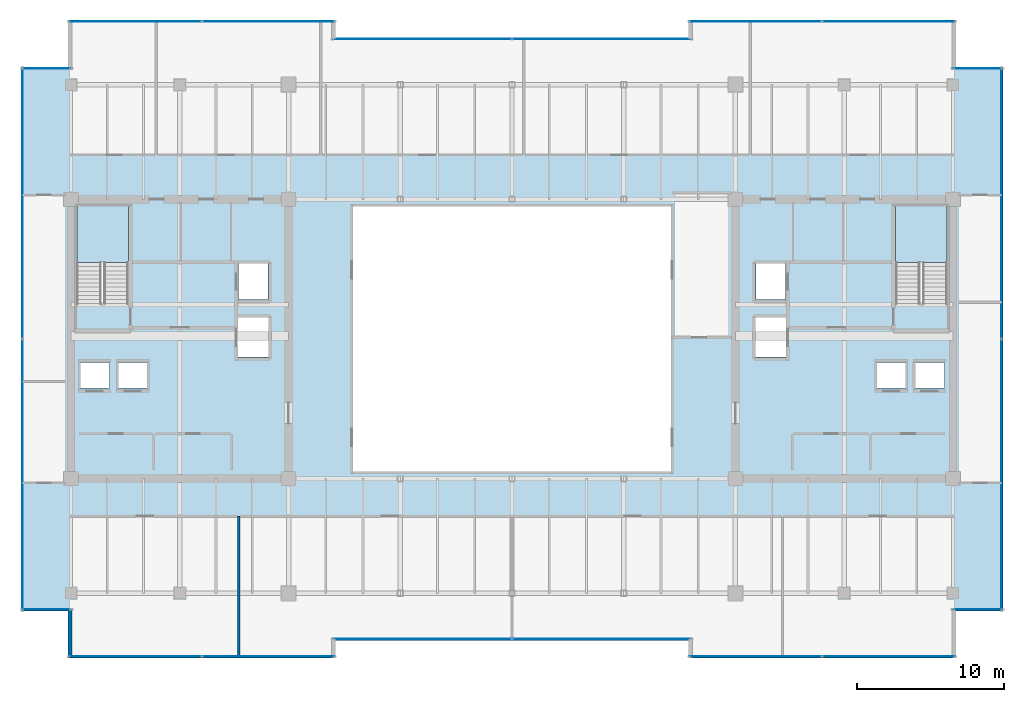
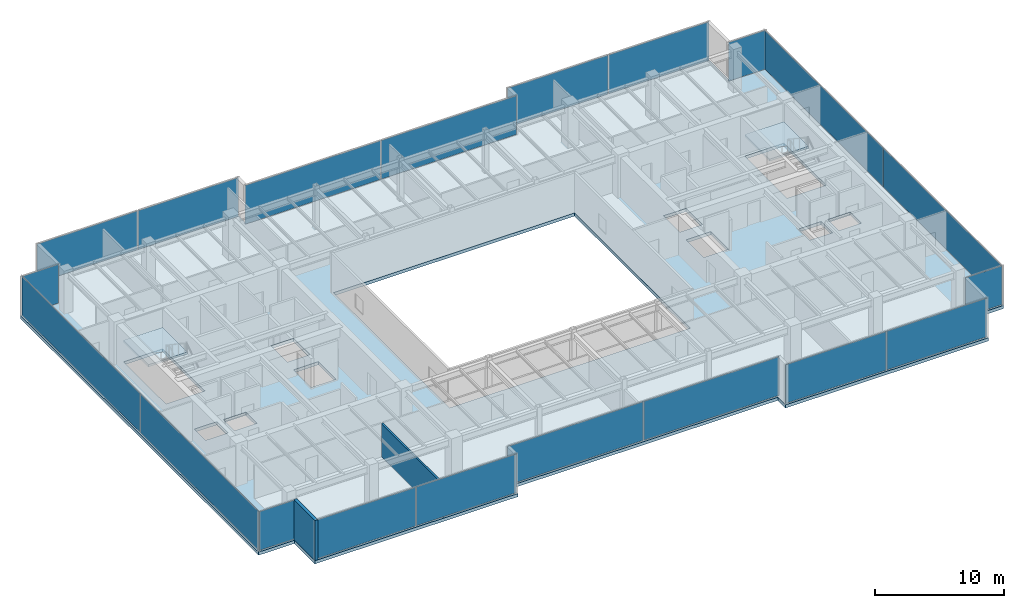
# One storey, part 27 of 36: 20 plates, 3 slabs, 2 walls, 14 elements without a shape of their own.
"""IFC4 building model written with IfcOpenShell, lengths in metres."""

from ifc_helpers import new_model, si_unit, direction, frame, frame_2d, origin, origin_2d, place, context, subcontext, project, spatial, polyline, rectangle, outline, extrude, source, transform, mapped, material, layer, layer_set, type_object, type_shapes, element, aggregate, save


model = new_model("IFC4")

# Units and contexts
model_context = context("Model", 3, precision=1e-05, world=origin(), true_north=direction((0.0, 1.0)))
body_context = subcontext(model_context, "Body", "Model", "MODEL_VIEW")
ifc_project = project(units=[si_unit("LENGTHUNIT", "METRE"), si_unit("AREAUNIT", "SQUARE_METRE"), si_unit("VOLUMEUNIT", "CUBIC_METRE"), si_unit("PLANEANGLEUNIT", "RADIAN"), si_unit("MASSUNIT", "GRAM", prefix="KILO")], contexts=[model_context])

# Site, building, storey
site_placement = place(None, origin())
site = spatial("IfcSite", under=ifc_project, at=site_placement, CompositionType="ELEMENT")
building_placement = place(site_placement, origin())
building = spatial("IfcBuilding", under=site, at=building_placement, Name="Haelvirn Gate Laboratories", CompositionType="ELEMENT")
storey_placement = place(building_placement, frame((0.0, 0.0, 254.699951171875)))
storey = spatial("IfcBuildingStorey", under=building, at=storey_placement, Name="L61", CompositionType="ELEMENT", Elevation=254.699951171875)

# Stair, slab
ifc_material_1 = material(Name="Concrete C40/50", Category="concrete")
stair_type = type_object("IfcStairType", Name="ST-DOG-1650-R22", PredefinedType="HALF_TURN_STAIR", material=ifc_material_1)
stair_1_placement = place(storey_placement, origin())
stair_1 = element("IfcStair", 1, at=stair_1_placement, inside=storey, type_object=stair_type, Name="L61 Escape Stair ST1", PredefinedType="HALF_TURN_STAIR")
ifc_layer_1 = layer(ifc_material_1, 0.199951171875, Name="SL-STAIR-LND")
ifc_layer_set_1 = layer_set([ifc_layer_1], Name="Concrete C40/50")
slab_type_1 = type_object("IfcSlabType", Name="SL-STAIR-LND", PredefinedType="LANDING", material=ifc_layer_set_1)
slab_1_placement = place(storey_placement, frame((0.0, 0.0, 1.85009765625)))
slab_1 = element("IfcSlab", 2, at=slab_1_placement, type_object=slab_type_1, Name="ST1 landing 1", PredefinedType="LANDING", context=body_context, shape_type="SweptSolid", body=[
    extrude(outline(polyline([(11.300048828125, 29.5), (11.300048828125, 33.35009765625), (7.800048828125, 33.35009765625), (7.800048828125, 29.5), (11.300048828125, 29.5)])), origin(), (0.0, 0.0, 1.0), 0.199951171875),
])
aggregate(stair_1, [slab_1])

stair_2_placement = place(storey_placement, origin())
stair_2 = element("IfcStair", 3, at=stair_2_placement, inside=storey, type_object=stair_type, Name="L61 Escape Stair ST2", PredefinedType="HALF_TURN_STAIR")
slab_2_placement = place(storey_placement, frame((0.0, 0.0, 1.85009765625)))
slab_2 = element("IfcSlab", 4, at=slab_2_placement, type_object=slab_type_1, Name="ST2 landing 1", PredefinedType="LANDING", context=body_context, shape_type="SweptSolid", body=[
    extrude(outline(polyline([(67.0, 29.5), (67.0, 33.35009765625), (63.5, 33.35009765625), (63.5, 29.5), (67.0, 29.5)])), origin(), (0.0, 0.0, 1.0), 0.199951171875),
])
aggregate(stair_2, [slab_2])

# Slab
ifc_layer_2 = layer(ifc_material_1, 0.300048828125, Name="SL-Z3-300")
ifc_layer_set_2 = layer_set([ifc_layer_2], Name="Concrete C40/50")
slab_type_2 = type_object("IfcSlabType", Name="SL-Z3-300", PredefinedType="FLOOR", material=ifc_layer_set_2)
slab_3_placement = place(storey_placement, frame((0.0, 0.0, -0.300048828125)))
element("IfcSlab", 5, at=slab_3_placement, inside=storey, type_object=slab_type_2, Name="L61 Structural Slab MAIN", PredefinedType="FLOOR", context=body_context, shape_type="SweptSolid", body=[
    extrude(outline(polyline([(7.199951171875, 2.60009765625), (25.39990234375, 2.60009765625), (25.39990234375, 3.800048828125), (49.39990234375, 3.800048828125), (49.39990234375, 2.60009765625), (67.60009765625, 2.60009765625), (67.60009765625, 5.800048828125), (70.800048828125, 5.800048828125), (70.800048828125, 42.800048828125), (67.60009765625, 42.800048828125), (67.60009765625, 46.0), (49.39990234375, 46.0), (49.39990234375, 44.800048828125), (25.39990234375, 44.800048828125), (25.39990234375, 46.0), (7.199951171875, 46.0), (7.199951171875, 42.800048828125), (4.0, 42.800048828125), (4.0, 5.800048828125), (7.199951171875, 5.800048828125), (7.199951171875, 2.60009765625)]), holes=[polyline([(26.60009765625, 15.300048828125), (48.199951171875, 15.300048828125), (48.199951171875, 33.300048828125), (26.60009765625, 33.300048828125), (26.60009765625, 15.300048828125)]), polyline([(11.300048828125, 26.780029296875), (11.300048828125, 33.35009765625), (7.800048828125, 33.35009765625), (7.800048828125, 26.780029296875), (11.300048828125, 26.780029296875)]), polyline([(67.0, 26.780029296875), (67.0, 33.35009765625), (63.5, 33.35009765625), (63.5, 26.780029296875), (67.0, 26.780029296875)]), polyline([(7.989990234375, 20.969970703125), (10.010009765625, 20.969970703125), (10.010009765625, 22.7099609375), (7.989990234375, 22.7099609375), (7.989990234375, 20.969970703125)]), polyline([(10.590087890625, 20.969970703125), (12.610107421875, 20.969970703125), (12.610107421875, 22.7099609375), (10.590087890625, 22.7099609375), (10.590087890625, 20.969970703125)]), polyline([(18.7900390625, 26.969970703125), (20.81005859375, 26.969970703125), (20.81005859375, 29.510009765625), (18.7900390625, 29.510009765625), (18.7900390625, 26.969970703125)]), polyline([(18.68994140625, 23.070068359375), (20.909912109375, 23.070068359375), (20.909912109375, 25.81005859375), (18.68994140625, 25.81005859375), (18.68994140625, 23.070068359375)]), polyline([(64.7900390625, 20.969970703125), (66.81005859375, 20.969970703125), (66.81005859375, 22.7099609375), (64.7900390625, 22.7099609375), (64.7900390625, 20.969970703125)]), polyline([(62.18994140625, 20.969970703125), (64.2099609375, 20.969970703125), (64.2099609375, 22.7099609375), (62.18994140625, 22.7099609375), (62.18994140625, 20.969970703125)]), polyline([(53.989990234375, 26.969970703125), (56.010009765625, 26.969970703125), (56.010009765625, 29.510009765625), (53.989990234375, 29.510009765625), (53.989990234375, 26.969970703125)]), polyline([(53.889892578125, 23.070068359375), (56.110107421875, 23.070068359375), (56.110107421875, 25.81005859375), (53.889892578125, 25.81005859375), (53.889892578125, 23.070068359375)])]), origin(), (0.0, 0.0, 1.0), 0.300048828125),
])

# Curtain wall, plates
ifc_material_2 = material(Name="Anodised bronze unitised aluminium & triple low-E glass", Category="aluminium")
ifc_layer_3 = layer(ifc_material_2, 0.176025390625, Name="CW-SYS-4")
ifc_layer_set_3 = layer_set([ifc_layer_3], Name="Anodised bronze unitised aluminium & triple low-E glass")
curtain_wall_type_1 = type_object("IfcCurtainWallType", Name="CW-SYS-4", PredefinedType="NOTDEFINED", material=ifc_layer_set_3)
curtain_wall_1_placement = place(storey_placement, origin())
curtain_wall_1 = element("IfcCurtainWall", 6, at=curtain_wall_1_placement, inside=storey, type_object=curtain_wall_type_1, Name="L61 Unitised Curtain Wall CW-L61-P0-E00-1", PredefinedType="NOTDEFINED")
ifc_material_3 = material(Name="Acoustic laminated bronze triple IGU 36 mm", Category="glass")
ifc_layer_4 = layer(ifc_material_3, 0.035888671875, Name="CWP-IGU-36")
ifc_layer_set_4 = layer_set([ifc_layer_4], Name="Acoustic laminated bronze triple IGU 36 mm")
plate_type_1 = type_object("IfcPlateType", Name="CWP-IGU-36", PredefinedType="CURTAIN_PANEL", material=ifc_layer_set_4)
shared_shape_1 = source(origin(), body_context, "Body", "SweptSolid", [
    extrude(rectangle(XDim=8.9951171875, YDim=0.035888671875, at=origin_2d()), origin(), (0.0, 0.0, 1.0), 3.669921875),
])
plate_1_placement = place(storey_placement, frame((11.767578125, 2.699951171875, 0.065185546875), z_axis=(0.0, 0.0, 1.0), x_axis=(1.0, 0.0, 0.0)))
plate_1 = element("IfcPlate", 7, at=plate_1_placement, type_object=plate_type_1, Name="CW4 panel 1.1", PredefinedType="CURTAIN_PANEL", context=body_context, shape_type="MappedRepresentation", body=[
    mapped(shared_shape_1, transform((0.0, 0.0, 0.0), scale=1.0)),
])
plate_2_placement = place(storey_placement, frame((20.83251953125, 2.699951171875, 0.065185546875), z_axis=(0.0, 0.0, 1.0), x_axis=(1.0, 0.0, 0.0)))
plate_2 = element("IfcPlate", 8, at=plate_2_placement, type_object=plate_type_1, Name="CW4 panel 2.1", PredefinedType="CURTAIN_PANEL", context=body_context, shape_type="MappedRepresentation", body=[
    mapped(shared_shape_1, transform((0.0, 0.0, 0.0), scale=1.0)),
])
aggregate(curtain_wall_1, [plate_1, plate_2])

curtain_wall_2_placement = place(storey_placement, origin())
curtain_wall_2 = element("IfcCurtainWall", 9, at=curtain_wall_2_placement, inside=storey, type_object=curtain_wall_type_1, Name="L61 Unitised Curtain Wall CW-L61-P0-E04-1", PredefinedType="NOTDEFINED")
plate_3_placement = place(storey_placement, frame((53.967529296875, 2.699951171875, 0.065185546875), z_axis=(0.0, 0.0, 1.0), x_axis=(1.0, 0.0, 0.0)))
plate_3 = element("IfcPlate", 10, at=plate_3_placement, type_object=plate_type_1, Name="CW4 panel 1.1", PredefinedType="CURTAIN_PANEL", context=body_context, shape_type="MappedRepresentation", body=[
    mapped(shared_shape_1, transform((0.0, 0.0, 0.0), scale=1.0)),
])
plate_4_placement = place(storey_placement, frame((63.032470703125, 2.699951171875, 0.065185546875), z_axis=(0.0, 0.0, 1.0), x_axis=(1.0, 0.0, 0.0)))
plate_4 = element("IfcPlate", 11, at=plate_4_placement, type_object=plate_type_1, Name="CW4 panel 2.1", PredefinedType="CURTAIN_PANEL", context=body_context, shape_type="MappedRepresentation", body=[
    mapped(shared_shape_1, transform((0.0, 0.0, 0.0), scale=1.0)),
])
aggregate(curtain_wall_2, [plate_3, plate_4])

curtain_wall_3_placement = place(storey_placement, origin())
curtain_wall_3 = element("IfcCurtainWall", 12, at=curtain_wall_3_placement, inside=storey, type_object=curtain_wall_type_1, Name="L61 Unitised Curtain Wall CW-L61-P0-E10-1", PredefinedType="NOTDEFINED")
plate_5_placement = place(storey_placement, frame((53.967529296875, 45.89990234375, 0.065185546875), z_axis=(0.0, 0.0, 1.0), x_axis=(1.0, 0.0, 0.0)))
plate_5 = element("IfcPlate", 13, at=plate_5_placement, type_object=plate_type_1, Name="CW4 panel 1.1", PredefinedType="CURTAIN_PANEL", context=body_context, shape_type="MappedRepresentation", body=[
    mapped(shared_shape_1, transform((0.0, 0.0, 0.0), scale=1.0)),
])
plate_6_placement = place(storey_placement, frame((63.032470703125, 45.89990234375, 0.065185546875), z_axis=(0.0, 0.0, 1.0), x_axis=(1.0, 0.0, 0.0)))
plate_6 = element("IfcPlate", 14, at=plate_6_placement, type_object=plate_type_1, Name="CW4 panel 2.1", PredefinedType="CURTAIN_PANEL", context=body_context, shape_type="MappedRepresentation", body=[
    mapped(shared_shape_1, transform((0.0, 0.0, 0.0), scale=1.0)),
])
aggregate(curtain_wall_3, [plate_5, plate_6])

curtain_wall_4_placement = place(storey_placement, origin())
curtain_wall_4 = element("IfcCurtainWall", 15, at=curtain_wall_4_placement, inside=storey, type_object=curtain_wall_type_1, Name="L61 Unitised Curtain Wall CW-L61-P0-E14-1", PredefinedType="NOTDEFINED")
plate_7_placement = place(storey_placement, frame((11.767578125, 45.89990234375, 0.065185546875), z_axis=(0.0, 0.0, 1.0), x_axis=(1.0, 0.0, 0.0)))
plate_7 = element("IfcPlate", 16, at=plate_7_placement, type_object=plate_type_1, Name="CW4 panel 1.1", PredefinedType="CURTAIN_PANEL", context=body_context, shape_type="MappedRepresentation", body=[
    mapped(shared_shape_1, transform((0.0, 0.0, 0.0), scale=1.0)),
])
plate_8_placement = place(storey_placement, frame((20.83251953125, 45.89990234375, 0.065185546875), z_axis=(0.0, 0.0, 1.0), x_axis=(1.0, 0.0, 0.0)))
plate_8 = element("IfcPlate", 17, at=plate_8_placement, type_object=plate_type_1, Name="CW4 panel 2.1", PredefinedType="CURTAIN_PANEL", context=body_context, shape_type="MappedRepresentation", body=[
    mapped(shared_shape_1, transform((0.0, 0.0, 0.0), scale=1.0)),
])
aggregate(curtain_wall_4, [plate_7, plate_8])

curtain_wall_5_placement = place(storey_placement, origin())
curtain_wall_5 = element("IfcCurtainWall", 18, at=curtain_wall_5_placement, inside=storey, type_object=curtain_wall_type_1, Name="L61 Unitised Curtain Wall CW-L61-P0-E02-1", PredefinedType="NOTDEFINED")
shared_shape_2 = source(origin(), body_context, "Body", "SweptSolid", [
    extrude(rectangle(XDim=12.135009765625, YDim=0.035888671875, at=origin_2d()), origin(), (0.0, 0.0, 1.0), 3.669921875),
])
plate_9_placement = place(storey_placement, frame((31.297607421875, 3.89990234375, 0.065185546875), z_axis=(0.0, 0.0, 1.0), x_axis=(1.0, 0.0, 0.0)))
plate_9 = element("IfcPlate", 19, at=plate_9_placement, type_object=plate_type_1, Name="CW4 panel 1.1", PredefinedType="CURTAIN_PANEL", context=body_context, shape_type="MappedRepresentation", body=[
    mapped(shared_shape_2, transform((0.0, 0.0, 0.0), scale=1.0)),
])
plate_10_placement = place(storey_placement, frame((43.50244140625, 3.89990234375, 0.065185546875), z_axis=(0.0, 0.0, 1.0), x_axis=(1.0, 0.0, 0.0)))
plate_10 = element("IfcPlate", 20, at=plate_10_placement, type_object=plate_type_1, Name="CW4 panel 2.1", PredefinedType="CURTAIN_PANEL", context=body_context, shape_type="MappedRepresentation", body=[
    mapped(shared_shape_2, transform((0.0, 0.0, 0.0), scale=1.0)),
])
aggregate(curtain_wall_5, [plate_9, plate_10])

curtain_wall_6_placement = place(storey_placement, origin())
curtain_wall_6 = element("IfcCurtainWall", 21, at=curtain_wall_6_placement, inside=storey, type_object=curtain_wall_type_1, Name="L61 Unitised Curtain Wall CW-L61-P0-E12-1", PredefinedType="NOTDEFINED")
plate_11_placement = place(storey_placement, frame((31.297607421875, 44.699951171875, 0.065185546875), z_axis=(0.0, 0.0, 1.0), x_axis=(1.0, 0.0, 0.0)))
plate_11 = element("IfcPlate", 22, at=plate_11_placement, type_object=plate_type_1, Name="CW4 panel 1.1", PredefinedType="CURTAIN_PANEL", context=body_context, shape_type="MappedRepresentation", body=[
    mapped(shared_shape_2, transform((0.0, 0.0, 0.0), scale=1.0)),
])
plate_12_placement = place(storey_placement, frame((43.50244140625, 44.699951171875, 0.065185546875), z_axis=(0.0, 0.0, 1.0), x_axis=(1.0, 0.0, 0.0)))
plate_12 = element("IfcPlate", 23, at=plate_12_placement, type_object=plate_type_1, Name="CW4 panel 2.1", PredefinedType="CURTAIN_PANEL", context=body_context, shape_type="MappedRepresentation", body=[
    mapped(shared_shape_2, transform((0.0, 0.0, 0.0), scale=1.0)),
])
aggregate(curtain_wall_6, [plate_11, plate_12])

# Curtain wall, plate
ifc_layer_5 = layer(ifc_material_2, 0.181884765625, Name="CW-SYS-5")
ifc_layer_set_5 = layer_set([ifc_layer_5], Name="Anodised bronze unitised aluminium & triple low-E glass")
curtain_wall_type_2 = type_object("IfcCurtainWallType", Name="CW-SYS-5", PredefinedType="NOTDEFINED", material=ifc_layer_set_5)
curtain_wall_7_placement = place(storey_placement, origin())
curtain_wall_7 = element("IfcCurtainWall", 24, at=curtain_wall_7_placement, inside=storey, type_object=curtain_wall_type_2, Name="L61 Unitised Curtain Wall CW-L61-P0-E06-1", PredefinedType="NOTDEFINED")
ifc_material_4 = material(Name="Clear low-iron notched-corner triple IGU 42 mm", Category="glass")
ifc_layer_6 = layer(ifc_material_4, 0.0419921875, Name="CWP-NTC-42")
ifc_layer_set_6 = layer_set([ifc_layer_6], Name="Clear low-iron notched-corner triple IGU 42 mm")
plate_type_2 = type_object("IfcPlateType", Name="CWP-NTC-42", PredefinedType="CURTAIN_PANEL", material=ifc_layer_set_6)
shared_shape_3 = source(origin(), body_context, "Body", "SweptSolid", [
    extrude(rectangle(XDim=3.280029296875, YDim=0.0419921875, at=origin_2d()), origin(), (0.0, 0.0, 1.0), 3.669921875),
])
type_shapes(plate_type_2, [shared_shape_3])
plate_13_placement = place(storey_placement, frame((69.080078125, 5.89990234375, 0.065185546875), z_axis=(0.0, 0.0, 1.0), x_axis=(1.0, 0.0, 0.0)))
plate_13 = element("IfcPlate", 25, at=plate_13_placement, type_object=plate_type_2, Name="CW5 panel 1.1", PredefinedType="CURTAIN_PANEL", context=body_context, shape_type="MappedRepresentation", body=[
    mapped(shared_shape_3, transform((0.0, 0.0, 0.0), scale=1.0)),
])
aggregate(curtain_wall_7, [plate_13])

curtain_wall_8_placement = place(storey_placement, origin())
curtain_wall_8 = element("IfcCurtainWall", 26, at=curtain_wall_8_placement, inside=storey, type_object=curtain_wall_type_2, Name="L61 Unitised Curtain Wall CW-L61-P0-E08-1", PredefinedType="NOTDEFINED")
plate_14_placement = place(storey_placement, frame((69.080078125, 42.699951171875, 0.065185546875), z_axis=(0.0, 0.0, 1.0), x_axis=(1.0, 0.0, 0.0)))
plate_14 = element("IfcPlate", 27, at=plate_14_placement, type_object=plate_type_2, Name="CW5 panel 1.1", PredefinedType="CURTAIN_PANEL", context=body_context, shape_type="MappedRepresentation", body=[
    mapped(shared_shape_3, transform((0.0, 0.0, 0.0), scale=1.0)),
])
aggregate(curtain_wall_8, [plate_14])

curtain_wall_9_placement = place(storey_placement, origin())
curtain_wall_9 = element("IfcCurtainWall", 28, at=curtain_wall_9_placement, inside=storey, type_object=curtain_wall_type_2, Name="L61 Unitised Curtain Wall CW-L61-P0-E16-1", PredefinedType="NOTDEFINED")
plate_15_placement = place(storey_placement, frame((5.719970703125, 42.699951171875, 0.065185546875), z_axis=(0.0, 0.0, 1.0), x_axis=(1.0, 0.0, 0.0)))
plate_15 = element("IfcPlate", 29, at=plate_15_placement, type_object=plate_type_2, Name="CW5 panel 1.1", PredefinedType="CURTAIN_PANEL", context=body_context, shape_type="MappedRepresentation", body=[
    mapped(shared_shape_3, transform((0.0, 0.0, 0.0), scale=1.0)),
])
aggregate(curtain_wall_9, [plate_15])

curtain_wall_10_placement = place(storey_placement, origin())
curtain_wall_10 = element("IfcCurtainWall", 30, at=curtain_wall_10_placement, inside=storey, type_object=curtain_wall_type_2, Name="L61 Unitised Curtain Wall CW-L61-P0-E18-1", PredefinedType="NOTDEFINED")
plate_16_placement = place(storey_placement, frame((5.719970703125, 5.89990234375, 0.065185546875), z_axis=(0.0, 0.0, 1.0), x_axis=(1.0, 0.0, 0.0)))
plate_16 = element("IfcPlate", 31, at=plate_16_placement, type_object=plate_type_2, Name="CW5 panel 1.1", PredefinedType="CURTAIN_PANEL", context=body_context, shape_type="MappedRepresentation", body=[
    mapped(shared_shape_3, transform((0.0, 0.0, 0.0), scale=1.0)),
])
aggregate(curtain_wall_10, [plate_16])

# Curtain wall, plates
curtain_wall_11_placement = place(storey_placement, origin())
curtain_wall_11 = element("IfcCurtainWall", 32, at=curtain_wall_11_placement, inside=storey, type_object=curtain_wall_type_1, Name="L61 Unitised Curtain Wall CW-L61-P0-E07", PredefinedType="NOTDEFINED")
shared_shape_4 = source(origin(), body_context, "Body", "SweptSolid", [
    extrude(rectangle(XDim=18.39501953125, YDim=0.035888671875, at=origin_2d()), origin(), (0.0, 0.0, 1.0), 3.669921875),
])
type_shapes(plate_type_1, [shared_shape_1, shared_shape_2, shared_shape_4])
plate_17_placement = place(storey_placement, frame((70.699951171875, 15.0673828125, 0.065185546875), z_axis=(0.0, 0.0, 1.0), x_axis=(0.0, 1.0, 0.0)))
plate_17 = element("IfcPlate", 33, at=plate_17_placement, type_object=plate_type_1, Name="CW4 panel 1.1", PredefinedType="CURTAIN_PANEL", context=body_context, shape_type="MappedRepresentation", body=[
    mapped(shared_shape_4, transform((0.0, 0.0, 0.0), scale=1.0)),
])
plate_18_placement = place(storey_placement, frame((70.699951171875, 33.532470703125, 0.065185546875), z_axis=(0.0, 0.0, 1.0), x_axis=(0.0, 1.0, 0.0)))
plate_18 = element("IfcPlate", 34, at=plate_18_placement, type_object=plate_type_1, Name="CW4 panel 2.1", PredefinedType="CURTAIN_PANEL", context=body_context, shape_type="MappedRepresentation", body=[
    mapped(shared_shape_4, transform((0.0, 0.0, 0.0), scale=1.0)),
])
aggregate(curtain_wall_11, [plate_17, plate_18])

curtain_wall_12_placement = place(storey_placement, origin())
curtain_wall_12 = element("IfcCurtainWall", 35, at=curtain_wall_12_placement, inside=storey, type_object=curtain_wall_type_1, Name="L61 Unitised Curtain Wall CW-L61-P0-E17", PredefinedType="NOTDEFINED")
plate_19_placement = place(storey_placement, frame((4.10009765625, 33.532470703125, 0.065185546875), z_axis=(0.0, 0.0, 1.0), x_axis=(0.0, -1.0, 0.0)))
plate_19 = element("IfcPlate", 36, at=plate_19_placement, type_object=plate_type_1, Name="CW4 panel 1.1", PredefinedType="CURTAIN_PANEL", context=body_context, shape_type="MappedRepresentation", body=[
    mapped(shared_shape_4, transform((0.0, 0.0, 0.0), scale=1.0)),
])
plate_20_placement = place(storey_placement, frame((4.10009765625, 15.0673828125, 0.065185546875), z_axis=(0.0, 0.0, 1.0), x_axis=(0.0, -1.0, 0.0)))
plate_20 = element("IfcPlate", 37, at=plate_20_placement, type_object=plate_type_1, Name="CW4 panel 2.1", PredefinedType="CURTAIN_PANEL", context=body_context, shape_type="MappedRepresentation", body=[
    mapped(shared_shape_4, transform((0.0, 0.0, 0.0), scale=1.0)),
])
aggregate(curtain_wall_12, [plate_19, plate_20])

# Walls
ifc_material_5 = material(Name="Thermally-broken bronze aluminium rainscreen & mineral wool", Category="aluminium")
ifc_layer_7 = layer(ifc_material_5, 0.280029296875, Name="EW-TERR-280")
ifc_layer_set_7 = layer_set([ifc_layer_7], Name="Thermally-broken bronze aluminium rainscreen & mineral wool")
wall_type_1 = type_object("IfcWallType", Name="EW-TERR-280", PredefinedType="STANDARD", material=ifc_layer_set_7)
wall_1_placement = place(storey_placement, frame((7.340087890625, 5.887939453125, 0.0), z_axis=(0.0, 0.0, 1.0), x_axis=(0.0, -1.0, 0.0)))
element("IfcWall", 38, at=wall_1_placement, inside=storey, type_object=wall_type_1, Name="L61 Atrium Recess Bronze Return Wall 19", PredefinedType="STANDARD", context=body_context, shape_type="SweptSolid", body=[
    extrude(rectangle(XDim=3.287841796875, YDim=0.280029296875, at=frame_2d((1.64404296875, 0.0))), origin(), (0.0, 0.0, 1.0), 3.800048828125),
])
ifc_material_6 = material(Name="Double-layer acoustic gypsum laboratory partition", Category="gypsum")
ifc_layer_8 = layer(ifc_material_6, 0.159912109375, Name="IW-ACOUST-160")
ifc_layer_set_8 = layer_set([ifc_layer_8], Name="Double-layer acoustic gypsum laboratory partition")
wall_type_2 = type_object("IfcWallType", Name="IW-ACOUST-160", PredefinedType="PARTITIONING", material=ifc_layer_set_8)
wall_2_placement = place(storey_placement, frame((18.800048828125, 2.7099609375, 0.0), z_axis=(0.0, 0.0, 1.0), x_axis=(0.0, 1.0, 0.0)))
element("IfcWall", 39, at=wall_2_placement, inside=storey, type_object=wall_type_2, Name="L61 Interior Wall IW-L61-SDIV-01", PredefinedType="PARTITIONING", context=body_context, shape_type="SweptSolid", body=[
    extrude(rectangle(XDim=9.530029296875, YDim=0.159912109375, at=frame_2d((4.76513671875, 0.0))), origin(), (0.0, 0.0, 1.0), 3.135009765625),
])

save(model, "model.ifc")
